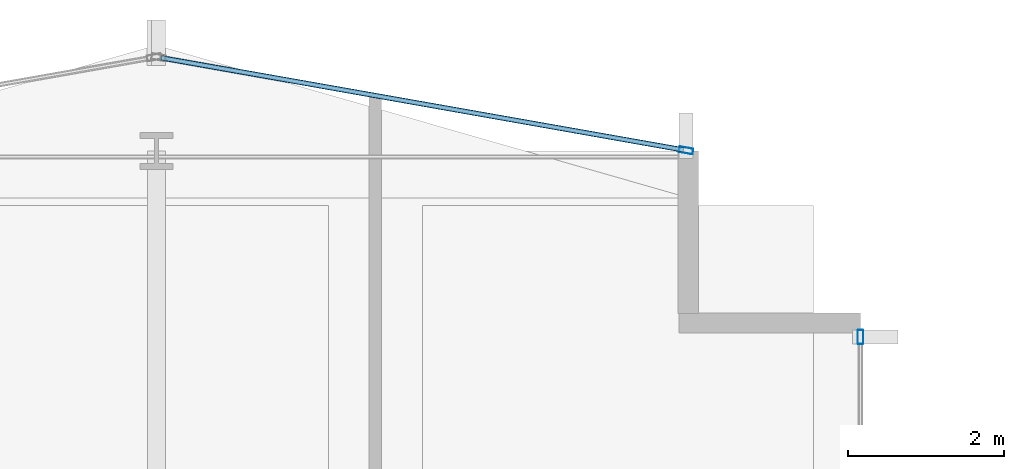
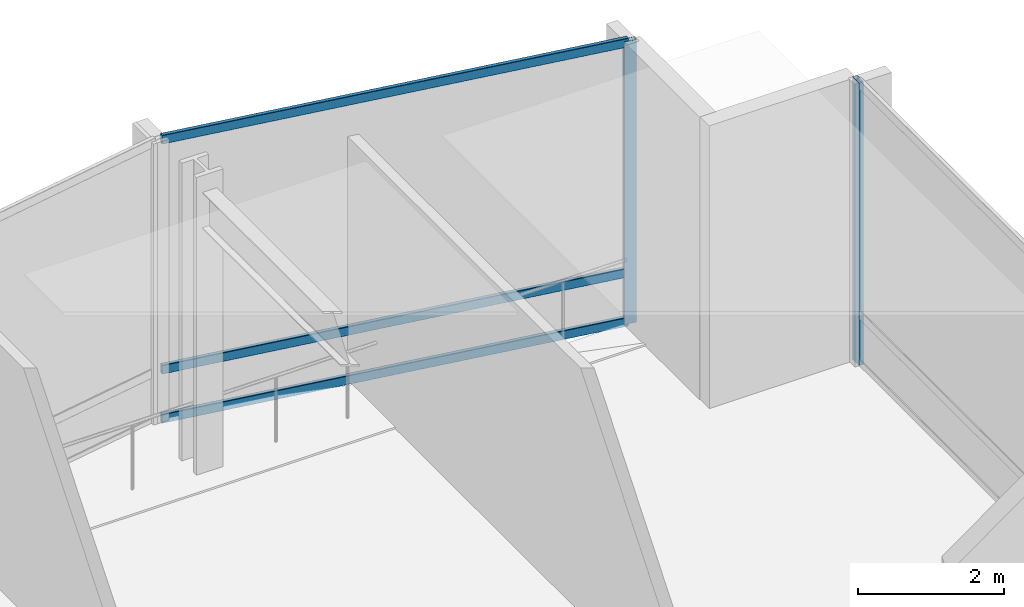
# One storey, part 26 of 39: 5 members, 2 elements without a shape of their own.
"""IFC4 building model written with IfcOpenShell, lengths in metres."""

from ifc_helpers import new_model, si_unit, direction, frame, origin, origin_2d, place, context, subcontext, project, spatial, hollow_rectangle, extrude, material, layer, layer_set, material_profile, profile_set, type_object, element, aggregate, save


model = new_model("IFC4")

# Units and contexts
model_context = context("Model", 3, precision=1e-05, world=origin(), true_north=direction((0.0, 1.0)))
body_context = subcontext(model_context, "Body", "Model", "MODEL_VIEW")
ifc_project = project(units=[si_unit("LENGTHUNIT", "METRE"), si_unit("AREAUNIT", "SQUARE_METRE"), si_unit("VOLUMEUNIT", "CUBIC_METRE"), si_unit("PLANEANGLEUNIT", "RADIAN"), si_unit("MASSUNIT", "GRAM", prefix="KILO")], contexts=[model_context])

# Site, building, storey
site_placement = place(None, origin())
site = spatial("IfcSite", under=ifc_project, at=site_placement, CompositionType="ELEMENT")
building_placement = place(site_placement, origin())
building = spatial("IfcBuilding", under=site, at=building_placement, Name="Solvaryn Broadcast Tower", CompositionType="ELEMENT")
storey_placement = place(building_placement, frame((0.0, 0.0, 84.10009765625)))
storey = spatial("IfcBuildingStorey", under=building, at=storey_placement, Name="L20", CompositionType="ELEMENT", Elevation=84.10009765625)

# Curtain wall, member
ifc_material_1 = material(Name="Aluminium and Terracotta Unitised Curtain Wall", Category="masonry")
ifc_layer = layer(ifc_material_1, 0.25)
ifc_layer_set = layer_set([ifc_layer], Name="CW-SYS4-SKYGARDEN")
curtain_wall_type = type_object("IfcCurtainWallType", Name="CW-SYS4-SKYGARDEN", PredefinedType="NOTDEFINED", material=ifc_layer_set)
curtain_wall_1_placement = place(storey_placement, origin())
curtain_wall_1 = element("IfcCurtainWall", 1, at=curtain_wall_1_placement, inside=storey, type_object=curtain_wall_type, Name="L20 Curtain Wall IV", PredefinedType="NOTDEFINED")
ifc_material_2 = material(Name="Anodised Aluminium 6063-T6", Category="aluminium")
ifc_material_profile_1 = material_profile(ifc_material_2, hollow_rectangle(XDim=0.074951171875, YDim=0.179931640625, WallThickness=0.00390625, InnerFilletRadius=0.00390625, OuterFilletRadius=0.008056640625, at=origin_2d()))
ifc_profile_set_1 = profile_set([ifc_material_profile_1], Name="Anodised Aluminium 6063-T6")
member_type_1 = type_object("IfcMemberType", Name="CW-MUL-180", PredefinedType="MULLION", material=ifc_profile_set_1)
member_1_placement = place(storey_placement, frame((27.0, 51.6201171875, 0.0), z_axis=(0.0, 0.0, 1.0), x_axis=(1.0, 0.0, 0.0)))
member_1 = element("IfcMember", 2, at=member_1_placement, type_object=member_type_1, Name="CWS4 mullion 1", PredefinedType="MULLION", context=body_context, shape_type="SweptSolid", body=[
    extrude(hollow_rectangle(XDim=0.074951171875, YDim=0.179931640625, WallThickness=0.00390625, InnerFilletRadius=0.00390625, OuterFilletRadius=0.008056640625, at=origin_2d()), origin(), (0.0, 0.0, 1.0), 4.719970703125),
])
aggregate(curtain_wall_1, [member_1])

# Curtain wall, members
curtain_wall_2_placement = place(storey_placement, origin())
curtain_wall_2 = element("IfcCurtainWall", 3, at=curtain_wall_2_placement, inside=storey, type_object=curtain_wall_type, Name="L20 Curtain Wall NT1", PredefinedType="NOTDEFINED")
member_2_placement = place(storey_placement, frame((24.7705078125, 54.005126953125, 0.0), z_axis=(0.0, 0.0, 1.0), x_axis=(-0.173785333901, -0.984783558819, 0.0)))
member_2 = element("IfcMember", 4, at=member_2_placement, type_object=member_type_1, Name="CWS4 mullion 1", PredefinedType="MULLION", context=body_context, shape_type="SweptSolid", body=[
    extrude(hollow_rectangle(XDim=0.074951171875, YDim=0.179931640625, WallThickness=0.00390625, InnerFilletRadius=0.00390625, OuterFilletRadius=0.008056640625, at=origin_2d()), origin(), (0.0, 0.0, 1.0), 4.719970703125),
])
ifc_material_3 = material(Name="Anodised Aluminium 6063-T6", Category="aluminium")
ifc_material_profile_2 = material_profile(ifc_material_3, hollow_rectangle(XDim=0.06494140625, YDim=0.14990234375, WallThickness=0.00390625, InnerFilletRadius=0.00390625, OuterFilletRadius=0.008056640625, at=origin_2d()))
ifc_profile_set_2 = profile_set([ifc_material_profile_2], Name="Anodised Aluminium 6063-T6")
member_type_2 = type_object("IfcMemberType", Name="CW-TRN-150", PredefinedType="USERDEFINED", material=ifc_profile_set_2)
member_3_placement = place(storey_placement, frame((24.740966796875, 54.010498046875, 0.02978515625), z_axis=(-0.984788629673, 0.173756596613, 0.0), x_axis=(-0.173756596613, -0.984788629673, 0.0)))
member_3 = element("IfcMember", 5, at=member_3_placement, type_object=member_type_2, Name="CWS4 transom 1.1", ObjectType="TRANSOM", PredefinedType="USERDEFINED", context=body_context, shape_type="SweptSolid", body=[
    extrude(hollow_rectangle(XDim=0.06494140625, YDim=0.14990234375, WallThickness=0.00390625, InnerFilletRadius=0.00390625, OuterFilletRadius=0.008056640625, at=origin_2d()), origin(), (0.0, 0.0, 1.0), 6.78515625),
])
member_4_placement = place(storey_placement, frame((24.740966796875, 54.010498046875, 0.849853515625), z_axis=(-0.984788629673, 0.173756596613, 0.0), x_axis=(-0.173756596613, -0.984788629673, 0.0)))
member_4 = element("IfcMember", 6, at=member_4_placement, type_object=member_type_2, Name="CWS4 transom 1.2", ObjectType="TRANSOM", PredefinedType="USERDEFINED", context=body_context, shape_type="SweptSolid", body=[
    extrude(hollow_rectangle(XDim=0.06494140625, YDim=0.14990234375, WallThickness=0.00390625, InnerFilletRadius=0.00390625, OuterFilletRadius=0.008056640625, at=origin_2d()), origin(), (0.0, 0.0, 1.0), 6.78515625),
])
member_5_placement = place(storey_placement, frame((24.740966796875, 54.010498046875, 4.68994140625), z_axis=(-0.984788629673, 0.173756596613, 0.0), x_axis=(-0.173756596613, -0.984788629673, 0.0)))
member_5 = element("IfcMember", 7, at=member_5_placement, type_object=member_type_2, Name="CWS4 transom 1.3", ObjectType="TRANSOM", PredefinedType="USERDEFINED", context=body_context, shape_type="SweptSolid", body=[
    extrude(hollow_rectangle(XDim=0.06494140625, YDim=0.14990234375, WallThickness=0.00390625, InnerFilletRadius=0.00390625, OuterFilletRadius=0.008056640625, at=origin_2d()), origin(), (0.0, 0.0, 1.0), 6.78515625),
])
aggregate(curtain_wall_2, [member_2, member_3, member_4, member_5])

save(model, "model.ifc")
